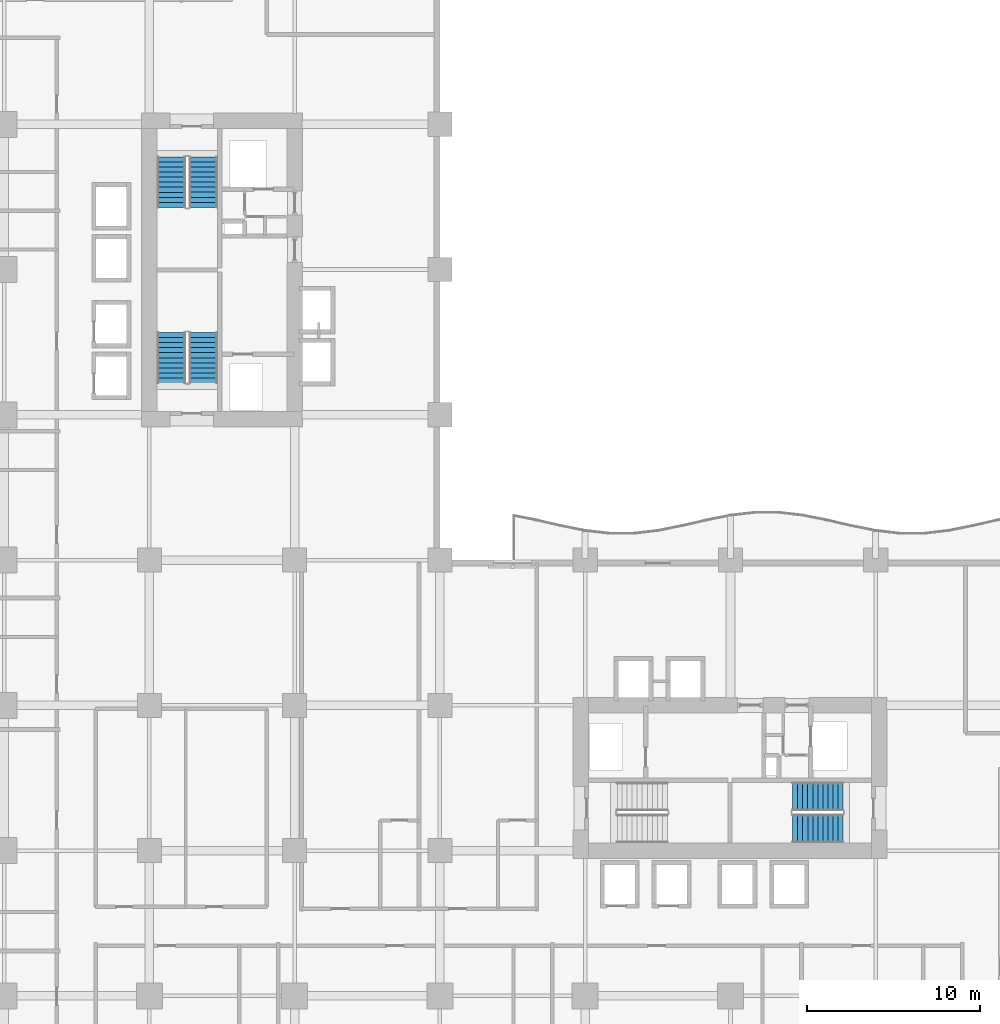
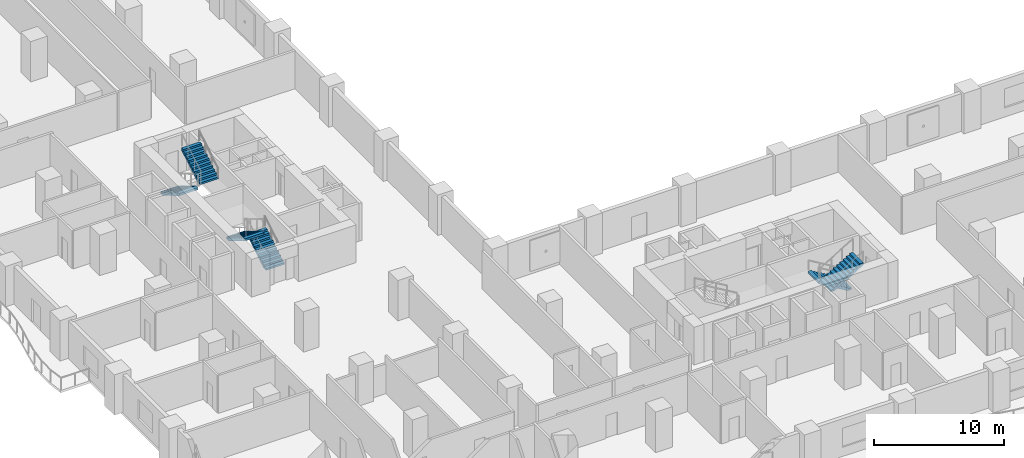
# One storey, part 14 of 20: 6 stair flights, 3 elements without a shape of their own.
"""IFC4 building model written with IfcOpenShell, lengths in metres."""

import ifcopenshell
import ifcopenshell.guid

model = None  # the IFC model being written
_history = None  # IfcOwnerHistory: only IFC2X3 demands one
_inside = {}  # id of a spatial element -> (the spatial element, [elements in it])
_under = {}  # id of a project, library or spatial element -> (it, [spatial elements below it])
_declared = {}  # id of a project -> (the project, [libraries it declares])
_typed = {}  # id of a type object -> (the type object, [elements of that type])
_made_of = {}  # id of a material, layer set ... -> (it, [elements and type objects made of it])


def new_model(schema):
    """Start an empty IFC model of exactly this schema.

    Asked for "IFC4X3", IfcOpenShell would pick the latest addendum, in which some entities
    have other attributes; the version numbers below select the first issue.
    IFC2X3 requires an IfcOwnerHistory on every rooted entity: one is made here for all.
    """
    global model, _history
    if schema == "IFC4X3":
        model = ifcopenshell.file(schema_version=(4, 3, 0, 0))
    else:
        model = ifcopenshell.file(schema=schema)
    _inside.clear()
    _under.clear()
    _declared.clear()
    _typed.clear()
    _made_of.clear()
    _history = None
    if model.schema == "IFC2X3":
        org = make("IfcOrganization", Name="unknown")
        user = make(
            "IfcPersonAndOrganization",
            ThePerson=make("IfcPerson", FamilyName="unknown"),
            TheOrganization=org,
        )
        app = make(
            "IfcApplication",
            ApplicationDeveloper=org,
            Version="unknown",
            ApplicationFullName="unknown",
            ApplicationIdentifier="unknown",
        )
        _history = make(
            "IfcOwnerHistory",
            OwningUser=user,
            OwningApplication=app,
            ChangeAction="ADDED",
            CreationDate=0,
        )
    return model


def make(cls, **values):
    """One entity of the class cls with the attributes given. An attribute that is None is left unset."""
    return model.create_entity(
        cls, **{name: value for name, value in values.items() if value is not None}
    )


def rooted(cls, **values):
    """An entity with a GlobalId (a new one), such as an element, a storey or a relation."""
    return make(cls, GlobalId=ifcopenshell.guid.new(), OwnerHistory=_history, **values)


def si_unit(unit_type, name, prefix=None):
    """IfcSIUnit, for example si_unit("LENGTHUNIT", "METRE", prefix="MILLI")."""
    return make("IfcSIUnit", UnitType=unit_type, Prefix=prefix, Name=name)


def assignment(units):
    """IfcUnitAssignment: the units of a project."""
    return None if units is None else make("IfcUnitAssignment", Units=units)


def point(xyz):
    """IfcCartesianPoint."""
    return None if xyz is None else make("IfcCartesianPoint", Coordinates=xyz)


def direction(xyz):
    """IfcDirection."""
    return None if xyz is None else make("IfcDirection", DirectionRatios=xyz)


def frame(location, z_axis=None, x_axis=None):
    """IfcAxis2Placement3D, a coordinate frame: its origin and axes. An axis left out is left unset."""
    return make(
        "IfcAxis2Placement3D",
        Location=point(location),
        Axis=direction(z_axis),
        RefDirection=direction(x_axis),
    )


def origin():
    """The frame at (0, 0, 0) with its axes left unset."""
    return frame((0.0, 0.0, 0.0))


def place(relative_to, where):
    """IfcLocalPlacement: puts the frame where relative to a parent placement (None: the world)."""
    return make(
        "IfcLocalPlacement", PlacementRelTo=relative_to, RelativePlacement=where
    )


def context(
    kind, dimensions, precision=None, world=None, true_north=None, identifier=None
):
    """IfcGeometricRepresentationContext, for example the 3D "Model" context."""
    return make(
        "IfcGeometricRepresentationContext",
        ContextIdentifier=identifier,
        ContextType=kind,
        CoordinateSpaceDimension=dimensions,
        Precision=precision,
        WorldCoordinateSystem=world,
        TrueNorth=true_north,
    )


def subcontext(parent, identifier, kind, view, scale=None):
    """IfcGeometricRepresentationSubContext, for example "Body" below "Model"."""
    return make(
        "IfcGeometricRepresentationSubContext",
        ContextIdentifier=identifier,
        ContextType=kind,
        ParentContext=parent,
        TargetScale=scale,
        TargetView=view,
    )


def project(units=None, contexts=None):
    """IfcProject with its units and contexts."""
    return rooted(
        "IfcProject",
        Name="project",
        RepresentationContexts=contexts,
        UnitsInContext=assignment(units),
    )


def spatial(cls, under=None, at=None, **own):
    """A site, building, storey or space (cls), placed at a placement, below another one or the project."""
    s = rooted(cls, ObjectPlacement=at, **own)
    if under is not None:
        _under.setdefault(under.id(), (under, []))[1].append(s)
    return s


def polyline(points):
    """IfcPolyline through the points."""
    return make("IfcPolyline", Points=[point(p) for p in points])


def outline(outer, holes=None, kind="AREA"):
    """IfcArbitraryClosedProfileDef: a profile drawn as a closed curve; with holes, ...WithVoids."""
    if holes is None:
        return make("IfcArbitraryClosedProfileDef", ProfileType=kind, OuterCurve=outer)
    return make(
        "IfcArbitraryProfileDefWithVoids",
        ProfileType=kind,
        OuterCurve=outer,
        InnerCurves=holes,
    )


def extrude(swept, where, along, depth):
    """IfcExtrudedAreaSolid: the profile swept, set in the frame where, extruded along a direction by depth."""
    return make(
        "IfcExtrudedAreaSolid",
        SweptArea=swept,
        Position=where,
        ExtrudedDirection=direction(along),
        Depth=depth,
    )


def shape(context_of_items, identifier, shape_type, items):
    """IfcShapeRepresentation: the items that make up one representation, for example the "Body"."""
    return make(
        "IfcShapeRepresentation",
        ContextOfItems=context_of_items,
        RepresentationIdentifier=identifier,
        RepresentationType=shape_type,
        Items=items,
    )


def material(Name=None, Category=None):
    """IfcMaterial."""
    return make("IfcMaterial", Name=Name, Category=Category)


def made_of(thing, what):
    """Note that an element or type object is made of a material, layer set ...; save() writes the relation."""
    if what is not None:
        _made_of.setdefault(what.id(), (what, []))[1].append(thing)
    return thing


def type_object(cls, material=None, **own):
    """A type object (cls), such as IfcWallType, which elements share."""
    return made_of(rooted(cls, **own), material)


def element(
    cls,
    number,
    at=None,
    inside=None,
    cuts=None,
    type_object=None,
    material=None,
    context=None,
    identifier="Body",
    shape_type=None,
    held_by="IfcProductDefinitionShape",
    body=None,
    shapes=None,
    **own,
):
    """One element of the class cls, such as IfcWall. Its Tag is "e" and its number.

    at: its placement. inside: the storey or other place that contains it. cuts: it is an
    opening in that element (IfcRelVoidsElement). A single representation is given by context,
    identifier, shape_type and body (its items); several are given by shapes. held_by: the class
    of the entity that holds the representations. save() writes the other relations.
    """
    e = rooted(cls, Tag="e%d" % number, ObjectPlacement=at, **own)
    if body is not None:
        shapes = [shape(context, identifier, shape_type, body)]
    if shapes is not None:
        e.Representation = make(held_by, Representations=shapes)
    if inside is not None:
        _inside.setdefault(inside.id(), (inside, []))[1].append(e)
    if cuts is not None:
        rooted(
            "IfcRelVoidsElement", RelatingBuildingElement=cuts, RelatedOpeningElement=e
        )
    if type_object is not None:
        _typed.setdefault(type_object.id(), (type_object, []))[1].append(e)
    return made_of(e, material)


def aggregate(whole, parts):
    """IfcRelAggregates: a whole, such as a stair, and the parts it consists of."""
    return rooted("IfcRelAggregates", RelatingObject=whole, RelatedObjects=parts)


def save(model, path):
    """Write the relations noted so far, then the file.

    IfcRelAggregates (storeys below a building ...), IfcRelContainedInSpatialStructure (elements
    in a storey), IfcRelDefinesByType, IfcRelAssociatesMaterial and IfcRelDeclares: one each for
    every whole, place, type object, material and project.
    """
    for whole, parts in _under.values():
        aggregate(whole, parts)
    for where, things in _inside.values():
        rooted(
            "IfcRelContainedInSpatialStructure",
            RelatedElements=things,
            RelatingStructure=where,
        )
    for kind, things in _typed.values():
        rooted("IfcRelDefinesByType", RelatedObjects=things, RelatingType=kind)
    for what, things in _made_of.values():
        rooted("IfcRelAssociatesMaterial", RelatedObjects=things, RelatingMaterial=what)
    for by, libraries in _declared.values():
        rooted("IfcRelDeclares", RelatingContext=by, RelatedDefinitions=libraries)
    model.write(path)


model = new_model("IFC4")

# Units and contexts
model_context = context("Model", 3, precision=1e-05, world=origin(), true_north=direction((0.0, 1.0)))
body_context = subcontext(model_context, "Body", "Model", "MODEL_VIEW")
ifc_project = project(units=[si_unit("LENGTHUNIT", "METRE"), si_unit("AREAUNIT", "SQUARE_METRE"), si_unit("VOLUMEUNIT", "CUBIC_METRE"), si_unit("PLANEANGLEUNIT", "RADIAN"), si_unit("MASSUNIT", "GRAM", prefix="KILO")], contexts=[model_context])

# Site, building, storey
site_placement = place(None, origin())
site = spatial("IfcSite", under=ifc_project, at=site_placement, CompositionType="ELEMENT")
building_placement = place(site_placement, origin())
building = spatial("IfcBuilding", under=site, at=building_placement, Name="Koriwani Terraces Tower", CompositionType="ELEMENT")
storey_placement = place(building_placement, frame((0.0, 0.0, 73.800048828125)))
storey = spatial("IfcBuildingStorey", under=building, at=storey_placement, Name="L17", CompositionType="ELEMENT", Elevation=73.800048828125)

# Stair, stair flights
ifc_material = material(Name="Concrete C40/50", Category="concrete")
stair_type = type_object("IfcStairType", Name="STAIR_CORE_DOGLEG_1650", PredefinedType="TWO_STRAIGHT_RUN_STAIR", material=ifc_material)
stair_1_placement = place(storey_placement, origin())
stair_1 = element("IfcStair", 1, at=stair_1_placement, inside=storey, type_object=stair_type, Name="L17 West Core Exit Stair 1", PredefinedType="HALF_TURN_STAIR")
stair_flight_type = type_object("IfcStairFlightType", Name="STAIR_FLIGHT_RC_1650", PredefinedType="STRAIGHT", material=ifc_material)
stair_flight_1_placement = place(storey_placement, frame((19.925048828125, 43.85009765625, 0.0), z_axis=(0.0, 0.0, 1.0), x_axis=(0.0, 1.0, 0.0)))
stair_flight_1 = element("IfcStairFlight", 2, at=stair_flight_1_placement, type_object=stair_flight_type, Name="ST-W1 flight 1", NumberOfRisers=11, NumberOfTreads=10, PredefinedType="STRAIGHT", RiserHeight=0.172727273, TreadLength=0.29, context=body_context, shape_type="SweptSolid", body=[
    extrude(outline(polyline([(0.0, 0.0), (0.0, 0.172607421875), (0.2900390625, 0.172607421875), (0.2900390625, 0.345458984375), (0.580078125, 0.345458984375), (0.580078125, 0.51806640625), (0.8701171875, 0.51806640625), (0.8701171875, 0.69091796875), (1.159912109375, 0.69091796875), (1.159912109375, 0.863525390625), (1.449951171875, 0.863525390625), (1.449951171875, 1.036376953125), (1.739990234375, 1.036376953125), (1.739990234375, 1.208984375), (2.030029296875, 1.208984375), (2.030029296875, 1.3818359375), (2.320068359375, 1.3818359375), (2.320068359375, 1.554443359375), (2.610107421875, 1.554443359375), (2.610107421875, 1.727294921875), (2.89990234375, 1.727294921875), (2.89990234375, 1.89990234375), (2.89990234375, 1.517822265625), (0.3515625, 0.0), (0.0, 0.0)])), frame((0.0, 0.824951171875, 0.0), z_axis=(0.0, -1.0, 0.0), x_axis=(1.0, 0.0, 0.0)), (0.0, 0.0, 1.0), 1.64990234375),
])
stair_flight_2_placement = place(storey_placement, frame((18.074951171875, 46.75, 1.89990234375), z_axis=(0.0, 0.0, 1.0), x_axis=(0.0, -1.0, 0.0)))
stair_flight_2 = element("IfcStairFlight", 3, at=stair_flight_2_placement, type_object=stair_flight_type, Name="ST-W1 flight 2", NumberOfRisers=11, NumberOfTreads=10, PredefinedType="STRAIGHT", RiserHeight=0.172727273, TreadLength=0.29, context=body_context, shape_type="SweptSolid", body=[
    extrude(outline(polyline([(0.0, 0.0), (0.0, 0.172607421875), (0.2900390625, 0.172607421875), (0.2900390625, 0.345458984375), (0.580078125, 0.345458984375), (0.580078125, 0.51806640625), (0.8701171875, 0.51806640625), (0.8701171875, 0.69091796875), (1.159912109375, 0.69091796875), (1.159912109375, 0.863525390625), (1.449951171875, 0.863525390625), (1.449951171875, 1.036376953125), (1.739990234375, 1.036376953125), (1.739990234375, 1.208984375), (2.030029296875, 1.208984375), (2.030029296875, 1.3818359375), (2.320068359375, 1.3818359375), (2.320068359375, 1.554443359375), (2.610107421875, 1.554443359375), (2.610107421875, 1.727294921875), (2.89990234375, 1.727294921875), (2.89990234375, 1.89990234375), (2.89990234375, 1.517822265625), (0.3515625, 0.0), (0.0, 0.0)])), frame((0.0, 0.824951171875, 0.0), z_axis=(0.0, -1.0, 0.0), x_axis=(1.0, 0.0, 0.0)), (0.0, 0.0, 1.0), 1.64990234375),
])
aggregate(stair_1, [stair_flight_1, stair_flight_2])

stair_2_placement = place(storey_placement, origin())
stair_2 = element("IfcStair", 4, at=stair_2_placement, inside=storey, type_object=stair_type, Name="L17 West Core Exit Stair 2", PredefinedType="HALF_TURN_STAIR")
stair_flight_3_placement = place(storey_placement, frame((18.074951171875, 56.89990234375, 0.0), z_axis=(0.0, 0.0, 1.0), x_axis=(0.0, -1.0, 0.0)))
stair_flight_3 = element("IfcStairFlight", 5, at=stair_flight_3_placement, type_object=stair_flight_type, Name="ST-W2 flight 1", NumberOfRisers=11, NumberOfTreads=10, PredefinedType="STRAIGHT", RiserHeight=0.172727273, TreadLength=0.29, context=body_context, shape_type="SweptSolid", body=[
    extrude(outline(polyline([(0.0, 0.0), (0.0, 0.172607421875), (0.2900390625, 0.172607421875), (0.2900390625, 0.345458984375), (0.580078125, 0.345458984375), (0.580078125, 0.51806640625), (0.8701171875, 0.51806640625), (0.8701171875, 0.69091796875), (1.159912109375, 0.69091796875), (1.159912109375, 0.863525390625), (1.449951171875, 0.863525390625), (1.449951171875, 1.036376953125), (1.739990234375, 1.036376953125), (1.739990234375, 1.208984375), (2.030029296875, 1.208984375), (2.030029296875, 1.3818359375), (2.320068359375, 1.3818359375), (2.320068359375, 1.554443359375), (2.610107421875, 1.554443359375), (2.610107421875, 1.727294921875), (2.89990234375, 1.727294921875), (2.89990234375, 1.89990234375), (2.89990234375, 1.517822265625), (0.3515625, 0.0), (0.0, 0.0)])), frame((0.0, 0.824951171875, 0.0), z_axis=(0.0, -1.0, 0.0), x_axis=(1.0, 0.0, 0.0)), (0.0, 0.0, 1.0), 1.64990234375),
])
stair_flight_4_placement = place(storey_placement, frame((19.925048828125, 54.0, 1.89990234375), z_axis=(0.0, 0.0, 1.0), x_axis=(0.0, 1.0, 0.0)))
stair_flight_4 = element("IfcStairFlight", 6, at=stair_flight_4_placement, type_object=stair_flight_type, Name="ST-W2 flight 2", NumberOfRisers=11, NumberOfTreads=10, PredefinedType="STRAIGHT", RiserHeight=0.172727273, TreadLength=0.29, context=body_context, shape_type="SweptSolid", body=[
    extrude(outline(polyline([(0.0, 0.0), (0.0, 0.172607421875), (0.2900390625, 0.172607421875), (0.2900390625, 0.345458984375), (0.580078125, 0.345458984375), (0.580078125, 0.51806640625), (0.8701171875, 0.51806640625), (0.8701171875, 0.69091796875), (1.159912109375, 0.69091796875), (1.159912109375, 0.863525390625), (1.449951171875, 0.863525390625), (1.449951171875, 1.036376953125), (1.739990234375, 1.036376953125), (1.739990234375, 1.208984375), (2.030029296875, 1.208984375), (2.030029296875, 1.3818359375), (2.320068359375, 1.3818359375), (2.320068359375, 1.554443359375), (2.610107421875, 1.554443359375), (2.610107421875, 1.727294921875), (2.89990234375, 1.727294921875), (2.89990234375, 1.89990234375), (2.89990234375, 1.517822265625), (0.3515625, 0.0), (0.0, 0.0)])), frame((0.0, 0.824951171875, 0.0), z_axis=(0.0, -1.0, 0.0), x_axis=(1.0, 0.0, 0.0)), (0.0, 0.0, 1.0), 1.64990234375),
])
aggregate(stair_2, [stair_flight_3, stair_flight_4])

stair_3_placement = place(storey_placement, origin())
stair_3 = element("IfcStair", 7, at=stair_3_placement, inside=storey, type_object=stair_type, Name="L17 East Core Exit Stair 2", PredefinedType="HALF_TURN_STAIR")
stair_flight_5_placement = place(storey_placement, frame((56.89990234375, 19.925048828125, 0.0), z_axis=(0.0, 0.0, 1.0), x_axis=(-1.0, 0.0, 0.0)))
stair_flight_5 = element("IfcStairFlight", 8, at=stair_flight_5_placement, type_object=stair_flight_type, Name="ST-E2 flight 1", NumberOfRisers=11, NumberOfTreads=10, PredefinedType="STRAIGHT", RiserHeight=0.172727273, TreadLength=0.29, context=body_context, shape_type="SweptSolid", body=[
    extrude(outline(polyline([(0.0, 0.0), (0.0, 0.172607421875), (0.2900390625, 0.172607421875), (0.2900390625, 0.345458984375), (0.580078125, 0.345458984375), (0.580078125, 0.51806640625), (0.8701171875, 0.51806640625), (0.8701171875, 0.69091796875), (1.159912109375, 0.69091796875), (1.159912109375, 0.863525390625), (1.449951171875, 0.863525390625), (1.449951171875, 1.036376953125), (1.739990234375, 1.036376953125), (1.739990234375, 1.208984375), (2.030029296875, 1.208984375), (2.030029296875, 1.3818359375), (2.320068359375, 1.3818359375), (2.320068359375, 1.554443359375), (2.610107421875, 1.554443359375), (2.610107421875, 1.727294921875), (2.89990234375, 1.727294921875), (2.89990234375, 1.89990234375), (2.89990234375, 1.517822265625), (0.3515625, 0.0), (0.0, 0.0)])), frame((0.0, 0.824951171875, 0.0), z_axis=(0.0, -1.0, 0.0), x_axis=(1.0, 0.0, 0.0)), (0.0, 0.0, 1.0), 1.64990234375),
])
stair_flight_6_placement = place(storey_placement, frame((54.0, 18.074951171875, 1.89990234375), z_axis=(0.0, 0.0, 1.0), x_axis=(1.0, 0.0, 0.0)))
stair_flight_6 = element("IfcStairFlight", 9, at=stair_flight_6_placement, type_object=stair_flight_type, Name="ST-E2 flight 2", NumberOfRisers=11, NumberOfTreads=10, PredefinedType="STRAIGHT", RiserHeight=0.172727273, TreadLength=0.29, context=body_context, shape_type="SweptSolid", body=[
    extrude(outline(polyline([(0.0, 0.0), (0.0, 0.172607421875), (0.2900390625, 0.172607421875), (0.2900390625, 0.345458984375), (0.580078125, 0.345458984375), (0.580078125, 0.51806640625), (0.8701171875, 0.51806640625), (0.8701171875, 0.69091796875), (1.159912109375, 0.69091796875), (1.159912109375, 0.863525390625), (1.449951171875, 0.863525390625), (1.449951171875, 1.036376953125), (1.739990234375, 1.036376953125), (1.739990234375, 1.208984375), (2.030029296875, 1.208984375), (2.030029296875, 1.3818359375), (2.320068359375, 1.3818359375), (2.320068359375, 1.554443359375), (2.610107421875, 1.554443359375), (2.610107421875, 1.727294921875), (2.89990234375, 1.727294921875), (2.89990234375, 1.89990234375), (2.89990234375, 1.517822265625), (0.3515625, 0.0), (0.0, 0.0)])), frame((0.0, 0.824951171875, 0.0), z_axis=(0.0, -1.0, 0.0), x_axis=(1.0, 0.0, 0.0)), (0.0, 0.0, 1.0), 1.64990234375),
])
aggregate(stair_3, [stair_flight_5, stair_flight_6])

save(model, "model.ifc")
